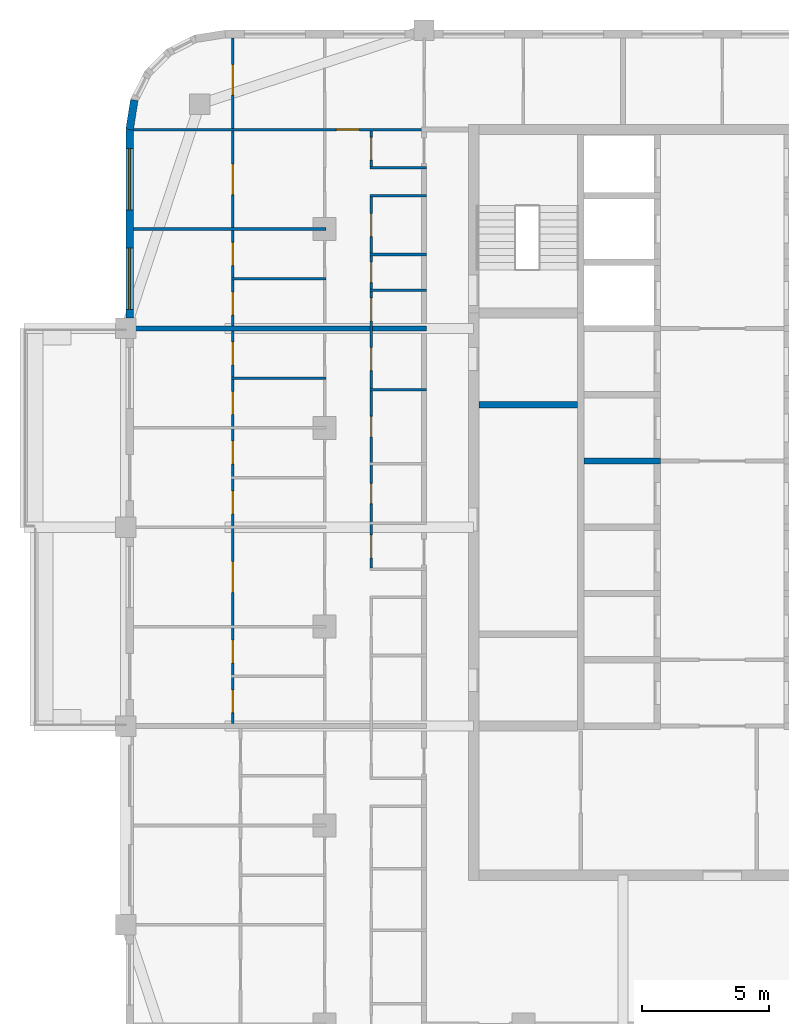
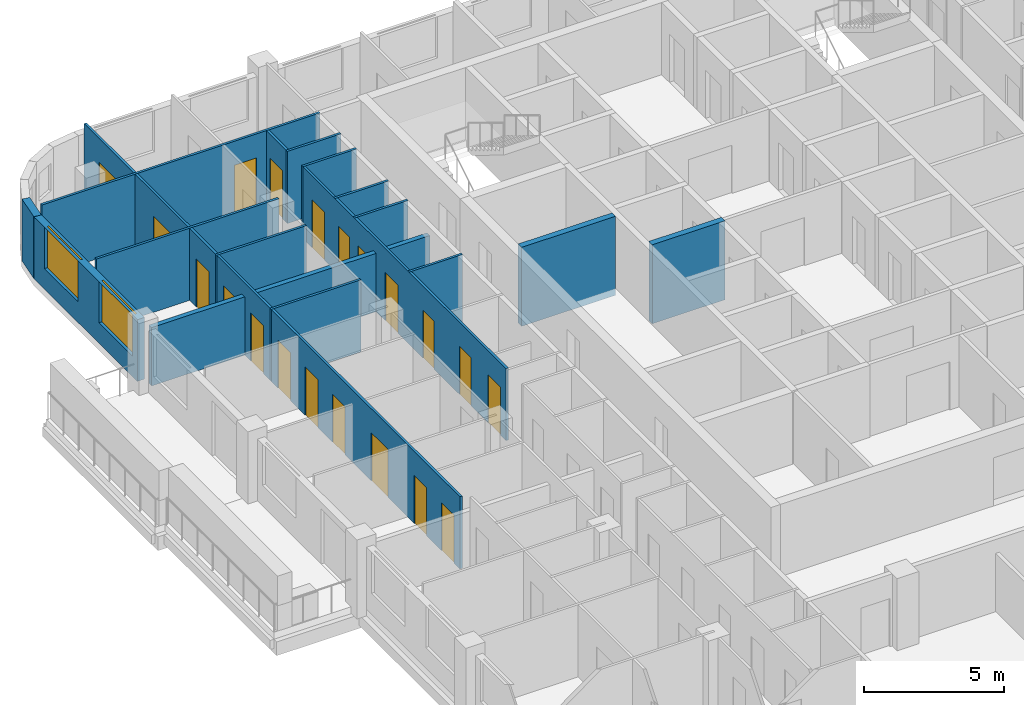
# One storey, part 8 of 15: 20 doors, 17 walls, 2 windows, 22 openings.
"""IFC4 building model written with IfcOpenShell, lengths in metres."""

from ifc_helpers import new_model, si_unit, direction, frame, frame_2d, origin, place, context, subcontext, project, spatial, rectangle, extrude, material, layer, layer_set, type_object, element, fill, save


model = new_model("IFC4")

# Units and contexts
model_context = context("Model", 3, precision=1e-05, world=origin(), true_north=direction((0.0, 1.0)))
body_context = subcontext(model_context, "Body", "Model", "MODEL_VIEW")
ifc_project = project(units=[si_unit("LENGTHUNIT", "METRE"), si_unit("AREAUNIT", "SQUARE_METRE"), si_unit("VOLUMEUNIT", "CUBIC_METRE"), si_unit("PLANEANGLEUNIT", "RADIAN"), si_unit("MASSUNIT", "GRAM", prefix="KILO")], contexts=[model_context])

# Site, building, storey
site_placement = place(None, origin())
site = spatial("IfcSite", under=ifc_project, at=site_placement, CompositionType="ELEMENT")
building_placement = place(site_placement, origin())
building = spatial("IfcBuilding", under=site, at=building_placement, Name="Ludao Terraces", CompositionType="ELEMENT")
storey_placement = place(building_placement, frame((0.0, 0.0, 197.300048828125)))
storey = spatial("IfcBuildingStorey", under=building, at=storey_placement, Name="L53", CompositionType="ELEMENT", Elevation=197.300048828125)

# Wall, openings, windows
ifc_material_1 = material(Name="Granite cladding", Category="masonry")
ifc_layer_1 = layer(ifc_material_1, 0.0400390625, Category="stone")
ifc_material_2 = material(Name="Mineral wool")
ifc_layer_2 = layer(ifc_material_2, 0.06005859375)
ifc_material_3 = material(Name="Concrete C40", Category="concrete")
ifc_layer_3 = layer(ifc_material_3, 0.199951171875, Category="concrete")
ifc_layer_set_1 = layer_set([ifc_layer_1, ifc_layer_2, ifc_layer_3], Name="ENV Stone-clad wall 300")
wall_type_1 = type_object("IfcWallType", Name="ENV Stone-clad wall 300", PredefinedType="SOLIDWALL", material=ifc_layer_set_1)
wall_1_placement = place(storey_placement, frame((61.75, 77.10009765625, 0.0), z_axis=(0.0, 0.0, 1.0), x_axis=(0.0, 1.0, 0.0)))
wall_1 = element("IfcWall", 1, at=wall_1_placement, inside=storey, type_object=wall_type_1, Name="EW-L53-W5", PredefinedType="SOLIDWALL", context=body_context, shape_type="SweptSolid", body=[
    extrude(rectangle(XDim=7.39990234375, YDim=0.300048828125, at=frame_2d((3.699951171875, 0.0))), origin(), (0.0, 0.0, 1.0), 2.699951171875),
])
opening_1_placement = place(wall_1_placement, frame((0.35009765625, 0.0, 0.89990234375)))
opening_1 = element("IfcOpeningElement", 2, at=opening_1_placement, cuts=wall_1, Name="Opening W1", PredefinedType="OPENING", context=body_context, shape_type="SweptSolid", body=[
    extrude(rectangle(XDim=2.39990234375, YDim=1.800048828125, at=frame_2d((1.199951171875, 0.89990234375))), frame((0.0, 0.16015625, 0.0), z_axis=(0.0, -1.0, 0.0), x_axis=(1.0, 0.0, 0.0)), (0.0, 0.0, 1.0), 0.320068359375),
])
opening_2_placement = place(wall_1_placement, frame((4.25, 0.0, 0.89990234375)))
opening_2 = element("IfcOpeningElement", 3, at=opening_2_placement, cuts=wall_1, Name="Opening W1", PredefinedType="OPENING", context=body_context, shape_type="SweptSolid", body=[
    extrude(rectangle(XDim=2.39990234375, YDim=1.800048828125, at=frame_2d((1.199951171875, 0.89990234375))), frame((0.0, 0.16015625, 0.0), z_axis=(0.0, -1.0, 0.0), x_axis=(1.0, 0.0, 0.0)), (0.0, 0.0, 1.0), 0.320068359375),
])
ifc_material_4 = material(Name="Clear glass in aluminium frame", Category="aluminium")
ifc_layer_4 = layer(ifc_material_4, 0.06005859375)
ifc_layer_set_2 = layer_set([ifc_layer_4], Name="ENV Window W1 2400x1800")
window_type = type_object("IfcWindowType", Name="ENV Window W1 2400x1800", PartitioningType="DOUBLE_PANEL_VERTICAL", PredefinedType="WINDOW", material=ifc_layer_set_2)
window_1_placement = place(opening_1_placement, origin())
window_1 = element("IfcWindow", 4, at=window_1_placement, inside=storey, type_object=window_type, Name="W-L53-W5-1", OverallHeight=1.800048828125, OverallWidth=2.39990234375, PartitioningType="DOUBLE_PANEL_VERTICAL", PredefinedType="WINDOW", context=body_context, shape_type="SweptSolid", body=[
    extrude(rectangle(XDim=2.39990234375, YDim=1.800048828125, at=frame_2d((1.199951171875, 0.89990234375))), frame((0.0, 0.030029296875, 0.0), z_axis=(0.0, -1.0, 0.0), x_axis=(1.0, 0.0, 0.0)), (0.0, 0.0, 1.0), 0.06005859375),
])
fill(opening_1, window_1)
window_2_placement = place(opening_2_placement, origin())
window_2 = element("IfcWindow", 5, at=window_2_placement, inside=storey, type_object=window_type, Name="W-L53-W5-2", OverallHeight=1.800048828125, OverallWidth=2.39990234375, PartitioningType="DOUBLE_PANEL_VERTICAL", PredefinedType="WINDOW", context=body_context, shape_type="SweptSolid", body=[
    extrude(rectangle(XDim=2.39990234375, YDim=1.800048828125, at=frame_2d((1.199951171875, 0.89990234375))), frame((0.0, 0.030029296875, 0.0), z_axis=(0.0, -1.0, 0.0), x_axis=(1.0, 0.0, 0.0)), (0.0, 0.0, 1.0), 0.06005859375),
])
fill(opening_2, window_2)

# Walls
wall_2_placement = place(storey_placement, frame((61.93359375, 85.65869140625, 0.0), z_axis=(0.0, 0.0, 1.0), x_axis=(-0.156496880861, -0.987678452879, 0.0)))
element("IfcWall", 6, at=wall_2_placement, inside=storey, type_object=wall_type_1, Name="EW-L53-NW5", PredefinedType="SOLIDWALL", context=body_context, shape_type="SweptSolid", body=[
    extrude(rectangle(XDim=1.173095703125, YDim=0.300048828125, at=frame_2d((0.58642578125, 0.0))), origin(), (0.0, 0.0, 1.0), 2.699951171875),
])
ifc_material_5 = material(Name="Gypsum plasterboard", Category="gypsum")
ifc_layer_5 = layer(ifc_material_5, 0.012451171875, Category="gypsum")
ifc_layer_6 = layer(ifc_material_2, 0.06005859375, Name="insulation")
ifc_material_6 = material(Name="Steel Q235", Category="steel")
ifc_layer_7 = layer(ifc_material_6, 0.014892578125, Name="stud")
ifc_layer_8 = layer(ifc_material_5, 0.012451171875, Category="gypsum")
ifc_layer_set_3 = layer_set([ifc_layer_5, ifc_layer_6, ifc_layer_7, ifc_layer_8], Name="INT Partition 100")
wall_type_2 = type_object("IfcWallType", Name="INT Partition 100", PredefinedType="PARTITIONING", material=ifc_layer_set_3)
wall_3_placement = place(storey_placement, frame((71.18017578125, 74.300048828125, 0.0), z_axis=(0.0, 0.0, 1.0), x_axis=(1.0, 0.0, 0.0)))
element("IfcWall", 7, at=wall_3_placement, inside=storey, type_object=wall_type_2, Name="PW-L53-PW051", PredefinedType="PARTITIONING", context=body_context, shape_type="SweptSolid", body=[
    extrude(rectangle(XDim=2.219970703125, YDim=0.10009765625, at=frame_2d((1.10986328125, 0.0))), origin(), (0.0, 0.0, 1.0), 3.14990234375),
])
wall_4_placement = place(storey_placement, frame((65.75, 74.75, 0.0), z_axis=(0.0, 0.0, 1.0), x_axis=(1.0, 0.0, 0.0)))
element("IfcWall", 8, at=wall_4_placement, inside=storey, type_object=wall_type_2, Name="PW-L53-PW053", PredefinedType="PARTITIONING", context=body_context, shape_type="SweptSolid", body=[
    extrude(rectangle(XDim=3.7001953125, YDim=0.10009765625, at=frame_2d((1.85009765625, 0.0))), origin(), (0.0, 0.0, 1.0), 3.14990234375),
])
wall_5_placement = place(storey_placement, frame((71.18017578125, 78.199951171875, 0.0), z_axis=(0.0, 0.0, 1.0), x_axis=(1.0, 0.0, 0.0)))
element("IfcWall", 9, at=wall_5_placement, inside=storey, type_object=wall_type_2, Name="PW-L53-PW058", PredefinedType="PARTITIONING", context=body_context, shape_type="SweptSolid", body=[
    extrude(rectangle(XDim=2.219970703125, YDim=0.10009765625, at=frame_2d((1.10986328125, 0.0))), origin(), (0.0, 0.0, 1.0), 3.14990234375),
])
wall_6_placement = place(storey_placement, frame((65.75, 78.64990234375, 0.0), z_axis=(0.0, 0.0, 1.0), x_axis=(1.0, 0.0, 0.0)))
element("IfcWall", 10, at=wall_6_placement, inside=storey, type_object=wall_type_2, Name="PW-L53-PW059", PredefinedType="PARTITIONING", context=body_context, shape_type="SweptSolid", body=[
    extrude(rectangle(XDim=3.7001953125, YDim=0.10009765625, at=frame_2d((1.85009765625, 0.0))), origin(), (0.0, 0.0, 1.0), 3.14990234375),
])
wall_7_placement = place(storey_placement, frame((71.18017578125, 79.60009765625, 0.0), z_axis=(0.0, 0.0, 1.0), x_axis=(1.0, 0.0, 0.0)))
element("IfcWall", 11, at=wall_7_placement, inside=storey, type_object=wall_type_2, Name="PW-L53-PW062", PredefinedType="PARTITIONING", context=body_context, shape_type="SweptSolid", body=[
    extrude(rectangle(XDim=2.219970703125, YDim=0.10009765625, at=frame_2d((1.10986328125, 0.0))), origin(), (0.0, 0.0, 1.0), 3.14990234375),
])
wall_8_placement = place(storey_placement, frame((61.900146484375, 80.60009765625, 0.0), z_axis=(0.0, 0.0, 1.0), x_axis=(1.0, 0.0, 0.0)))
element("IfcWall", 12, at=wall_8_placement, inside=storey, type_object=wall_type_2, Name="PW-L53-PW064", PredefinedType="PARTITIONING", context=body_context, shape_type="SweptSolid", body=[
    extrude(rectangle(XDim=7.550048828125, YDim=0.10009765625, at=frame_2d((3.77490234375, 0.0))), origin(), (0.0, 0.0, 1.0), 3.14990234375),
])
for number, where, z_axis, x_axis, name in (
    (13, (71.18017578125, 81.89990234375, 0.0), (0.0, 0.0, 1.0), (1.0, 0.0, 0.0), "PW-L53-PW067"),
    (14, (71.18017578125, 83.0, 0.0), (0.0, 0.0, 1.0), (1.0, 0.0, 0.0), "PW-L53-PW069"),
):
    element("IfcWall", number, at=place(storey_placement, frame(where, z_axis=z_axis, x_axis=x_axis)), inside=storey, type_object=wall_type_2, Name=name, PredefinedType="PARTITIONING", context=body_context, shape_type="SweptSolid", body=[
        extrude(rectangle(XDim=2.219970703125, YDim=0.10009765625, at=frame_2d((1.10986328125, 0.0))), origin(), (0.0, 0.0, 1.0), 3.14990234375),
    ])

# Wall, opening, door
wall_9_placement = place(storey_placement, frame((61.900146484375, 84.5, 0.0), z_axis=(0.0, 0.0, 1.0), x_axis=(1.0, 0.0, 0.0)))
wall_9 = element("IfcWall", 15, at=wall_9_placement, inside=storey, type_object=wall_type_2, Name="PW-L53-PW071", PredefinedType="PARTITIONING", context=body_context, shape_type="SweptSolid", body=[
    extrude(rectangle(XDim=11.5, YDim=0.10009765625, at=frame_2d((5.75, 0.0))), origin(), (0.0, 0.0, 1.0), 3.14990234375),
])
opening_3_placement = place(wall_9_placement, frame((7.965087890625, 0.0, 0.0)))
opening_3 = element("IfcOpeningElement", 16, at=opening_3_placement, cuts=wall_9, Name="Opening R19-137", PredefinedType="OPENING", context=body_context, shape_type="SweptSolid", body=[
    extrude(rectangle(XDim=0.89990234375, YDim=2.10009765625, at=frame_2d((0.449951171875, 1.050048828125))), frame((0.0, 0.06005859375, 0.0), z_axis=(0.0, -1.0, 0.0), x_axis=(1.0, 0.0, 0.0)), (0.0, 0.0, 1.0), 0.1201171875),
])
ifc_material_7 = material(Name="Timber door leaf", Category="wood")
door_type_1 = type_object("IfcDoorType", Name="INT Room door 900", OperationType="SINGLE_SWING_LEFT", PredefinedType="DOOR", material=ifc_material_7)
door_1_placement = place(opening_3_placement, origin())
door_1 = element("IfcDoor", 17, at=door_1_placement, inside=storey, type_object=door_type_1, Name="DOOR 137", OperationType="SINGLE_SWING_RIGHT", OverallHeight=2.10009765625, OverallWidth=0.89990234375, PredefinedType="DOOR", context=body_context, shape_type="SweptSolid", body=[
    extrude(rectangle(XDim=0.89990234375, YDim=2.10009765625, at=frame_2d((0.449951171875, 1.050048828125))), frame((0.0, 0.02490234375, 0.0), z_axis=(0.0, -1.0, 0.0), x_axis=(1.0, 0.0, 0.0)), (0.0, 0.0, 1.0), 0.050048828125),
])
fill(opening_3, door_1)

# Wall, openings, doors
wall_10_placement = place(storey_placement, frame((65.800048828125, 61.2001953125, 0.0), z_axis=(0.0, 0.0, 1.0), x_axis=(0.0, 1.0, 0.0)))
wall_10 = element("IfcWall", 18, at=wall_10_placement, inside=storey, type_object=wall_type_2, Name="PW-L53-PW075", PredefinedType="PARTITIONING", context=body_context, shape_type="SweptSolid", body=[
    extrude(rectangle(XDim=26.89990234375, YDim=0.10009765625, at=frame_2d((13.449951171875, 0.0))), origin(), (0.0, 0.0, 1.0), 3.14990234375),
])
opening_4_placement = place(wall_10_placement, frame((0.4248046875, 0.0, 0.0)))
opening_4 = element("IfcOpeningElement", 19, at=opening_4_placement, cuts=wall_10, Name="Opening R19-050", PredefinedType="OPENING", context=body_context, shape_type="SweptSolid", body=[
    extrude(rectangle(XDim=0.89990234375, YDim=2.10009765625, at=frame_2d((0.449951171875, 1.050048828125))), frame((0.0, 0.06005859375, 0.0), z_axis=(0.0, -1.0, 0.0), x_axis=(1.0, 0.0, 0.0)), (0.0, 0.0, 1.0), 0.1201171875),
])
opening_5_placement = place(wall_10_placement, frame((2.375, 0.0, 0.0)))
opening_5 = element("IfcOpeningElement", 20, at=opening_5_placement, cuts=wall_10, Name="Opening R19-060", PredefinedType="OPENING", context=body_context, shape_type="SweptSolid", body=[
    extrude(rectangle(XDim=0.89990234375, YDim=2.10009765625, at=frame_2d((0.449951171875, 1.050048828125))), frame((0.0, 0.06005859375, 0.0), z_axis=(0.0, -1.0, 0.0), x_axis=(1.0, 0.0, 0.0)), (0.0, 0.0, 1.0), 0.1201171875),
])
opening_6_placement = place(wall_10_placement, frame((5.14990234375, 0.0, 0.0)))
opening_6 = element("IfcOpeningElement", 21, at=opening_6_placement, cuts=wall_10, Name="Opening R19-068", PredefinedType="OPENING", context=body_context, shape_type="SweptSolid", body=[
    extrude(rectangle(XDim=1.199951171875, YDim=2.10009765625, at=frame_2d((0.60009765625, 1.050048828125))), frame((0.0, 0.06005859375, 0.0), z_axis=(0.0, -1.0, 0.0), x_axis=(1.0, 0.0, 0.0)), (0.0, 0.0, 1.0), 0.1201171875),
])
opening_7_placement = place(wall_10_placement, frame((8.224853515625, 0.0, 0.0)))
opening_7 = element("IfcOpeningElement", 22, at=opening_7_placement, cuts=wall_10, Name="Opening R19-079", PredefinedType="OPENING", context=body_context, shape_type="SweptSolid", body=[
    extrude(rectangle(XDim=0.89990234375, YDim=2.10009765625, at=frame_2d((0.449951171875, 1.050048828125))), frame((0.0, 0.06005859375, 0.0), z_axis=(0.0, -1.0, 0.0), x_axis=(1.0, 0.0, 0.0)), (0.0, 0.0, 1.0), 0.1201171875),
])
opening_8_placement = place(wall_10_placement, frame((10.1748046875, 0.0, 0.0)))
opening_8 = element("IfcOpeningElement", 23, at=opening_8_placement, cuts=wall_10, Name="Opening R19-088", PredefinedType="OPENING", context=body_context, shape_type="SweptSolid", body=[
    extrude(rectangle(XDim=0.89990234375, YDim=2.10009765625, at=frame_2d((0.449951171875, 1.050048828125))), frame((0.0, 0.06005859375, 0.0), z_axis=(0.0, -1.0, 0.0), x_axis=(1.0, 0.0, 0.0)), (0.0, 0.0, 1.0), 0.1201171875),
])
opening_9_placement = place(wall_10_placement, frame((12.125, 0.0, 0.0)))
opening_9 = element("IfcOpeningElement", 24, at=opening_9_placement, cuts=wall_10, Name="Opening R19-094", PredefinedType="OPENING", context=body_context, shape_type="SweptSolid", body=[
    extrude(rectangle(XDim=0.89990234375, YDim=2.10009765625, at=frame_2d((0.449951171875, 1.050048828125))), frame((0.0, 0.06005859375, 0.0), z_axis=(0.0, -1.0, 0.0), x_axis=(1.0, 0.0, 0.0)), (0.0, 0.0, 1.0), 0.1201171875),
])
opening_10_placement = place(wall_10_placement, frame((14.074951171875, 0.0, 0.0)))
opening_10 = element("IfcOpeningElement", 25, at=opening_10_placement, cuts=wall_10, Name="Opening R19-103", PredefinedType="OPENING", context=body_context, shape_type="SweptSolid", body=[
    extrude(rectangle(XDim=0.89990234375, YDim=2.10009765625, at=frame_2d((0.449951171875, 1.050048828125))), frame((0.0, 0.06005859375, 0.0), z_axis=(0.0, -1.0, 0.0), x_axis=(1.0, 0.0, 0.0)), (0.0, 0.0, 1.0), 0.1201171875),
])
opening_11_placement = place(wall_10_placement, frame((16.02490234375, 0.0, 0.0)))
opening_11 = element("IfcOpeningElement", 26, at=opening_11_placement, cuts=wall_10, Name="Opening R19-109", PredefinedType="OPENING", context=body_context, shape_type="SweptSolid", body=[
    extrude(rectangle(XDim=0.89990234375, YDim=2.10009765625, at=frame_2d((0.449951171875, 1.050048828125))), frame((0.0, 0.06005859375, 0.0), z_axis=(0.0, -1.0, 0.0), x_axis=(1.0, 0.0, 0.0)), (0.0, 0.0, 1.0), 0.1201171875),
])
opening_12_placement = place(wall_10_placement, frame((17.974853515625, 0.0, 0.0)))
opening_12 = element("IfcOpeningElement", 27, at=opening_12_placement, cuts=wall_10, Name="Opening R19-119", PredefinedType="OPENING", context=body_context, shape_type="SweptSolid", body=[
    extrude(rectangle(XDim=0.89990234375, YDim=2.10009765625, at=frame_2d((0.449951171875, 1.050048828125))), frame((0.0, 0.06005859375, 0.0), z_axis=(0.0, -1.0, 0.0), x_axis=(1.0, 0.0, 0.0)), (0.0, 0.0, 1.0), 0.1201171875),
])
opening_13_placement = place(wall_10_placement, frame((20.75, 0.0, 0.0)))
opening_13 = element("IfcOpeningElement", 28, at=opening_13_placement, cuts=wall_10, Name="Opening R19-128", PredefinedType="OPENING", context=body_context, shape_type="SweptSolid", body=[
    extrude(rectangle(XDim=1.199951171875, YDim=2.10009765625, at=frame_2d((0.60009765625, 1.050048828125))), frame((0.0, 0.06005859375, 0.0), z_axis=(0.0, -1.0, 0.0), x_axis=(1.0, 0.0, 0.0)), (0.0, 0.0, 1.0), 0.1201171875),
])
opening_14_placement = place(wall_10_placement, frame((24.64990234375, 0.0, 0.0)))
opening_14 = element("IfcOpeningElement", 29, at=opening_14_placement, cuts=wall_10, Name="Opening R19-139", PredefinedType="OPENING", context=body_context, shape_type="SweptSolid", body=[
    extrude(rectangle(XDim=1.199951171875, YDim=2.10009765625, at=frame_2d((0.60009765625, 1.050048828125))), frame((0.0, 0.06005859375, 0.0), z_axis=(0.0, -1.0, 0.0), x_axis=(1.0, 0.0, 0.0)), (0.0, 0.0, 1.0), 0.1201171875),
])
door_type_2 = type_object("IfcDoorType", Name="INT Bathroom door 900", OperationType="SINGLE_SWING_LEFT", PredefinedType="DOOR", material=ifc_material_7)
door_2_placement = place(opening_4_placement, origin())
door_2 = element("IfcDoor", 30, at=door_2_placement, inside=storey, type_object=door_type_2, Name="DOOR 050", OperationType="SINGLE_SWING_RIGHT", OverallHeight=2.10009765625, OverallWidth=0.89990234375, PredefinedType="DOOR", context=body_context, shape_type="SweptSolid", body=[
    extrude(rectangle(XDim=0.89990234375, YDim=2.10009765625, at=frame_2d((0.449951171875, 1.050048828125))), frame((0.0, 0.02490234375, 0.0), z_axis=(0.0, -1.0, 0.0), x_axis=(1.0, 0.0, 0.0)), (0.0, 0.0, 1.0), 0.050048828125),
])
fill(opening_4, door_2)
door_3_placement = place(opening_7_placement, origin())
door_3 = element("IfcDoor", 31, at=door_3_placement, inside=storey, type_object=door_type_2, Name="DOOR 079", OperationType="SINGLE_SWING_RIGHT", OverallHeight=2.10009765625, OverallWidth=0.89990234375, PredefinedType="DOOR", context=body_context, shape_type="SweptSolid", body=[
    extrude(rectangle(XDim=0.89990234375, YDim=2.10009765625, at=frame_2d((0.449951171875, 1.050048828125))), frame((0.0, 0.02490234375, 0.0), z_axis=(0.0, -1.0, 0.0), x_axis=(1.0, 0.0, 0.0)), (0.0, 0.0, 1.0), 0.050048828125),
])
fill(opening_7, door_3)
door_4_placement = place(opening_9_placement, origin())
door_4 = element("IfcDoor", 32, at=door_4_placement, inside=storey, type_object=door_type_2, Name="DOOR 094", OperationType="SINGLE_SWING_RIGHT", OverallHeight=2.10009765625, OverallWidth=0.89990234375, PredefinedType="DOOR", context=body_context, shape_type="SweptSolid", body=[
    extrude(rectangle(XDim=0.89990234375, YDim=2.10009765625, at=frame_2d((0.449951171875, 1.050048828125))), frame((0.0, 0.02490234375, 0.0), z_axis=(0.0, -1.0, 0.0), x_axis=(1.0, 0.0, 0.0)), (0.0, 0.0, 1.0), 0.050048828125),
])
fill(opening_9, door_4)
door_5_placement = place(opening_11_placement, origin())
door_5 = element("IfcDoor", 33, at=door_5_placement, inside=storey, type_object=door_type_2, Name="DOOR 109", OperationType="SINGLE_SWING_RIGHT", OverallHeight=2.10009765625, OverallWidth=0.89990234375, PredefinedType="DOOR", context=body_context, shape_type="SweptSolid", body=[
    extrude(rectangle(XDim=0.89990234375, YDim=2.10009765625, at=frame_2d((0.449951171875, 1.050048828125))), frame((0.0, 0.02490234375, 0.0), z_axis=(0.0, -1.0, 0.0), x_axis=(1.0, 0.0, 0.0)), (0.0, 0.0, 1.0), 0.050048828125),
])
fill(opening_11, door_5)
door_type_3 = type_object("IfcDoorType", Name="INT Double door 1200", OperationType="DOUBLE_DOOR_SINGLE_SWING", PredefinedType="DOOR", material=ifc_material_7)
door_6_placement = place(opening_6_placement, origin())
door_6 = element("IfcDoor", 34, at=door_6_placement, inside=storey, type_object=door_type_3, Name="DOOR 068", OperationType="DOUBLE_DOOR_SINGLE_SWING", OverallHeight=2.10009765625, OverallWidth=1.199951171875, PredefinedType="DOOR", context=body_context, shape_type="SweptSolid", body=[
    extrude(rectangle(XDim=1.199951171875, YDim=2.10009765625, at=frame_2d((0.60009765625, 1.050048828125))), frame((0.0, 0.02490234375, 0.0), z_axis=(0.0, -1.0, 0.0), x_axis=(1.0, 0.0, 0.0)), (0.0, 0.0, 1.0), 0.050048828125),
])
fill(opening_6, door_6)
door_7_placement = place(opening_13_placement, origin())
door_7 = element("IfcDoor", 35, at=door_7_placement, inside=storey, type_object=door_type_3, Name="DOOR 128", OperationType="DOUBLE_DOOR_SINGLE_SWING", OverallHeight=2.10009765625, OverallWidth=1.199951171875, PredefinedType="DOOR", context=body_context, shape_type="SweptSolid", body=[
    extrude(rectangle(XDim=1.199951171875, YDim=2.10009765625, at=frame_2d((0.60009765625, 1.050048828125))), frame((0.0, 0.02490234375, 0.0), z_axis=(0.0, -1.0, 0.0), x_axis=(1.0, 0.0, 0.0)), (0.0, 0.0, 1.0), 0.050048828125),
])
fill(opening_13, door_7)
door_8_placement = place(opening_14_placement, origin())
door_8 = element("IfcDoor", 36, at=door_8_placement, inside=storey, type_object=door_type_3, Name="DOOR 139", OperationType="DOUBLE_DOOR_SINGLE_SWING", OverallHeight=2.10009765625, OverallWidth=1.199951171875, PredefinedType="DOOR", context=body_context, shape_type="SweptSolid", body=[
    extrude(rectangle(XDim=1.199951171875, YDim=2.10009765625, at=frame_2d((0.60009765625, 1.050048828125))), frame((0.0, 0.02490234375, 0.0), z_axis=(0.0, -1.0, 0.0), x_axis=(1.0, 0.0, 0.0)), (0.0, 0.0, 1.0), 0.050048828125),
])
fill(opening_14, door_8)
door_9_placement = place(opening_5_placement, origin())
door_9 = element("IfcDoor", 37, at=door_9_placement, inside=storey, type_object=door_type_1, Name="DOOR 060", OperationType="SINGLE_SWING_RIGHT", OverallHeight=2.10009765625, OverallWidth=0.89990234375, PredefinedType="DOOR", context=body_context, shape_type="SweptSolid", body=[
    extrude(rectangle(XDim=0.89990234375, YDim=2.10009765625, at=frame_2d((0.449951171875, 1.050048828125))), frame((0.0, 0.02490234375, 0.0), z_axis=(0.0, -1.0, 0.0), x_axis=(1.0, 0.0, 0.0)), (0.0, 0.0, 1.0), 0.050048828125),
])
fill(opening_5, door_9)
door_10_placement = place(opening_8_placement, origin())
door_10 = element("IfcDoor", 38, at=door_10_placement, inside=storey, type_object=door_type_1, Name="DOOR 088", OperationType="SINGLE_SWING_RIGHT", OverallHeight=2.10009765625, OverallWidth=0.89990234375, PredefinedType="DOOR", context=body_context, shape_type="SweptSolid", body=[
    extrude(rectangle(XDim=0.89990234375, YDim=2.10009765625, at=frame_2d((0.449951171875, 1.050048828125))), frame((0.0, 0.02490234375, 0.0), z_axis=(0.0, -1.0, 0.0), x_axis=(1.0, 0.0, 0.0)), (0.0, 0.0, 1.0), 0.050048828125),
])
fill(opening_8, door_10)
door_11_placement = place(opening_10_placement, origin())
door_11 = element("IfcDoor", 39, at=door_11_placement, inside=storey, type_object=door_type_1, Name="DOOR 103", OperationType="SINGLE_SWING_LEFT", OverallHeight=2.10009765625, OverallWidth=0.89990234375, PredefinedType="DOOR", context=body_context, shape_type="SweptSolid", body=[
    extrude(rectangle(XDim=0.89990234375, YDim=2.10009765625, at=frame_2d((0.449951171875, 1.050048828125))), frame((0.0, 0.02490234375, 0.0), z_axis=(0.0, -1.0, 0.0), x_axis=(1.0, 0.0, 0.0)), (0.0, 0.0, 1.0), 0.050048828125),
])
fill(opening_10, door_11)
door_12_placement = place(opening_12_placement, origin())
door_12 = element("IfcDoor", 40, at=door_12_placement, inside=storey, type_object=door_type_1, Name="DOOR 119", OperationType="SINGLE_SWING_RIGHT", OverallHeight=2.10009765625, OverallWidth=0.89990234375, PredefinedType="DOOR", context=body_context, shape_type="SweptSolid", body=[
    extrude(rectangle(XDim=0.89990234375, YDim=2.10009765625, at=frame_2d((0.449951171875, 1.050048828125))), frame((0.0, 0.02490234375, 0.0), z_axis=(0.0, -1.0, 0.0), x_axis=(1.0, 0.0, 0.0)), (0.0, 0.0, 1.0), 0.050048828125),
])
fill(opening_12, door_12)

wall_11_placement = place(storey_placement, frame((71.22998046875, 67.300048828125, 0.0), z_axis=(0.0, 0.0, 1.0), x_axis=(0.0, 1.0, 0.0)))
wall_11 = element("IfcWall", 41, at=wall_11_placement, inside=storey, type_object=wall_type_2, Name="PW-L53-PW080", PredefinedType="PARTITIONING", context=body_context, shape_type="SweptSolid", body=[
    extrude(rectangle(XDim=14.550048828125, YDim=0.10009765625, at=frame_2d((7.27490234375, 0.0))), origin(), (0.0, 0.0, 1.0), 3.14990234375),
])
opening_15_placement = place(wall_11_placement, frame((0.39990234375, 0.0, 0.0)))
opening_15 = element("IfcOpeningElement", 42, at=opening_15_placement, cuts=wall_11, Name="Opening R19-076", PredefinedType="OPENING", context=body_context, shape_type="SweptSolid", body=[
    extrude(rectangle(XDim=0.89990234375, YDim=2.10009765625, at=frame_2d((0.449951171875, 1.050048828125))), frame((0.0, 0.06005859375, 0.0), z_axis=(0.0, -1.0, 0.0), x_axis=(1.0, 0.0, 0.0)), (0.0, 0.0, 1.0), 0.1201171875),
])
opening_16_placement = place(wall_11_placement, frame((2.52490234375, 0.0, 0.0)))
opening_16 = element("IfcOpeningElement", 43, at=opening_16_placement, cuts=wall_11, Name="Opening R19-083", PredefinedType="OPENING", context=body_context, shape_type="SweptSolid", body=[
    extrude(rectangle(XDim=0.800048828125, YDim=2.10009765625, at=frame_2d((0.39990234375, 1.050048828125))), frame((0.0, 0.06005859375, 0.0), z_axis=(0.0, -1.0, 0.0), x_axis=(1.0, 0.0, 0.0)), (0.0, 0.0, 1.0), 0.1201171875),
])
opening_17_placement = place(wall_11_placement, frame((5.14990234375, 0.0, 0.0)))
opening_17 = element("IfcOpeningElement", 44, at=opening_17_placement, cuts=wall_11, Name="Opening R19-093", PredefinedType="OPENING", context=body_context, shape_type="SweptSolid", body=[
    extrude(rectangle(XDim=0.800048828125, YDim=2.10009765625, at=frame_2d((0.39990234375, 1.050048828125))), frame((0.0, 0.06005859375, 0.0), z_axis=(0.0, -1.0, 0.0), x_axis=(1.0, 0.0, 0.0)), (0.0, 0.0, 1.0), 0.1201171875),
])
opening_18_placement = place(wall_11_placement, frame((7.75, 0.0, 0.0)))
opening_18 = element("IfcOpeningElement", 45, at=opening_18_placement, cuts=wall_11, Name="Opening R19-099", PredefinedType="OPENING", context=body_context, shape_type="SweptSolid", body=[
    extrude(rectangle(XDim=0.89990234375, YDim=2.10009765625, at=frame_2d((0.449951171875, 1.050048828125))), frame((0.0, 0.06005859375, 0.0), z_axis=(0.0, -1.0, 0.0), x_axis=(1.0, 0.0, 0.0)), (0.0, 0.0, 1.0), 0.1201171875),
])
opening_19_placement = place(wall_11_placement, frame((9.699951171875, 0.0, 0.0)))
opening_19 = element("IfcOpeningElement", 46, at=opening_19_placement, cuts=wall_11, Name="Opening R19-108", PredefinedType="OPENING", context=body_context, shape_type="SweptSolid", body=[
    extrude(rectangle(XDim=0.89990234375, YDim=2.10009765625, at=frame_2d((0.449951171875, 1.050048828125))), frame((0.0, 0.06005859375, 0.0), z_axis=(0.0, -1.0, 0.0), x_axis=(1.0, 0.0, 0.0)), (0.0, 0.0, 1.0), 0.1201171875),
])
opening_20_placement = place(wall_11_placement, frame((11.199951171875, 0.0, 0.0)))
opening_20 = element("IfcOpeningElement", 47, at=opening_20_placement, cuts=wall_11, Name="Opening R19-116", PredefinedType="OPENING", context=body_context, shape_type="SweptSolid", body=[
    extrude(rectangle(XDim=0.800048828125, YDim=2.10009765625, at=frame_2d((0.39990234375, 1.050048828125))), frame((0.0, 0.06005859375, 0.0), z_axis=(0.0, -1.0, 0.0), x_axis=(1.0, 0.0, 0.0)), (0.0, 0.0, 1.0), 0.1201171875),
])
opening_21_placement = place(wall_11_placement, frame((13.0, 0.0, 0.0)))
opening_21 = element("IfcOpeningElement", 48, at=opening_21_placement, cuts=wall_11, Name="Opening R19-125", PredefinedType="OPENING", context=body_context, shape_type="SweptSolid", body=[
    extrude(rectangle(XDim=0.89990234375, YDim=2.10009765625, at=frame_2d((0.449951171875, 1.050048828125))), frame((0.0, 0.06005859375, 0.0), z_axis=(0.0, -1.0, 0.0), x_axis=(1.0, 0.0, 0.0)), (0.0, 0.0, 1.0), 0.1201171875),
])
door_13_placement = place(opening_15_placement, origin())
door_13 = element("IfcDoor", 49, at=door_13_placement, inside=storey, type_object=door_type_2, Name="DOOR 076", OperationType="SINGLE_SWING_RIGHT", OverallHeight=2.10009765625, OverallWidth=0.89990234375, PredefinedType="DOOR", context=body_context, shape_type="SweptSolid", body=[
    extrude(rectangle(XDim=0.89990234375, YDim=2.10009765625, at=frame_2d((0.449951171875, 1.050048828125))), frame((0.0, 0.02490234375, 0.0), z_axis=(0.0, -1.0, 0.0), x_axis=(1.0, 0.0, 0.0)), (0.0, 0.0, 1.0), 0.050048828125),
])
fill(opening_15, door_13)
door_14_placement = place(opening_18_placement, origin())
door_14 = element("IfcDoor", 50, at=door_14_placement, inside=storey, type_object=door_type_2, Name="DOOR 099", OperationType="SINGLE_SWING_LEFT", OverallHeight=2.10009765625, OverallWidth=0.89990234375, PredefinedType="DOOR", context=body_context, shape_type="SweptSolid", body=[
    extrude(rectangle(XDim=0.89990234375, YDim=2.10009765625, at=frame_2d((0.449951171875, 1.050048828125))), frame((0.0, 0.02490234375, 0.0), z_axis=(0.0, -1.0, 0.0), x_axis=(1.0, 0.0, 0.0)), (0.0, 0.0, 1.0), 0.050048828125),
])
fill(opening_18, door_14)
door_15_placement = place(opening_19_placement, origin())
door_15 = element("IfcDoor", 51, at=door_15_placement, inside=storey, type_object=door_type_2, Name="DOOR 108", OperationType="SINGLE_SWING_RIGHT", OverallHeight=2.10009765625, OverallWidth=0.89990234375, PredefinedType="DOOR", context=body_context, shape_type="SweptSolid", body=[
    extrude(rectangle(XDim=0.89990234375, YDim=2.10009765625, at=frame_2d((0.449951171875, 1.050048828125))), frame((0.0, 0.02490234375, 0.0), z_axis=(0.0, -1.0, 0.0), x_axis=(1.0, 0.0, 0.0)), (0.0, 0.0, 1.0), 0.050048828125),
])
fill(opening_19, door_15)
door_16_placement = place(opening_21_placement, origin())
door_16 = element("IfcDoor", 52, at=door_16_placement, inside=storey, type_object=door_type_1, Name="DOOR 125", OperationType="SINGLE_SWING_RIGHT", OverallHeight=2.10009765625, OverallWidth=0.89990234375, PredefinedType="DOOR", context=body_context, shape_type="SweptSolid", body=[
    extrude(rectangle(XDim=0.89990234375, YDim=2.10009765625, at=frame_2d((0.449951171875, 1.050048828125))), frame((0.0, 0.02490234375, 0.0), z_axis=(0.0, -1.0, 0.0), x_axis=(1.0, 0.0, 0.0)), (0.0, 0.0, 1.0), 0.050048828125),
])
fill(opening_21, door_16)
door_type_4 = type_object("IfcDoorType", Name="INT Store door 800", OperationType="SINGLE_SWING_LEFT", PredefinedType="DOOR", material=ifc_material_7)
door_17_placement = place(opening_16_placement, origin())
door_17 = element("IfcDoor", 53, at=door_17_placement, inside=storey, type_object=door_type_4, Name="DOOR 083", OperationType="SINGLE_SWING_LEFT", OverallHeight=2.10009765625, OverallWidth=0.800048828125, PredefinedType="DOOR", context=body_context, shape_type="SweptSolid", body=[
    extrude(rectangle(XDim=0.800048828125, YDim=2.10009765625, at=frame_2d((0.39990234375, 1.050048828125))), frame((0.0, 0.02490234375, 0.0), z_axis=(0.0, -1.0, 0.0), x_axis=(1.0, 0.0, 0.0)), (0.0, 0.0, 1.0), 0.050048828125),
])
fill(opening_16, door_17)
door_18_placement = place(opening_17_placement, origin())
door_18 = element("IfcDoor", 54, at=door_18_placement, inside=storey, type_object=door_type_4, Name="DOOR 093", OperationType="SINGLE_SWING_RIGHT", OverallHeight=2.10009765625, OverallWidth=0.800048828125, PredefinedType="DOOR", context=body_context, shape_type="SweptSolid", body=[
    extrude(rectangle(XDim=0.800048828125, YDim=2.10009765625, at=frame_2d((0.39990234375, 1.050048828125))), frame((0.0, 0.02490234375, 0.0), z_axis=(0.0, -1.0, 0.0), x_axis=(1.0, 0.0, 0.0)), (0.0, 0.0, 1.0), 0.050048828125),
])
fill(opening_17, door_18)
door_19_placement = place(opening_20_placement, origin())
door_19 = element("IfcDoor", 55, at=door_19_placement, inside=storey, type_object=door_type_4, Name="DOOR 116", OperationType="SINGLE_SWING_LEFT", OverallHeight=2.10009765625, OverallWidth=0.800048828125, PredefinedType="DOOR", context=body_context, shape_type="SweptSolid", body=[
    extrude(rectangle(XDim=0.800048828125, YDim=2.10009765625, at=frame_2d((0.39990234375, 1.050048828125))), frame((0.0, 0.02490234375, 0.0), z_axis=(0.0, -1.0, 0.0), x_axis=(1.0, 0.0, 0.0)), (0.0, 0.0, 1.0), 0.050048828125),
])
fill(opening_20, door_19)

# Wall, opening, door
wall_12_placement = place(storey_placement, frame((71.22998046875, 83.050048828125, 0.0), z_axis=(0.0, 0.0, 1.0), x_axis=(0.0, 1.0, 0.0)))
wall_12 = element("IfcWall", 56, at=wall_12_placement, inside=storey, type_object=wall_type_2, Name="PW-L53-PW081", PredefinedType="PARTITIONING", context=body_context, shape_type="SweptSolid", body=[
    extrude(rectangle(XDim=1.400146484375, YDim=0.10009765625, at=frame_2d((0.7001953125, 0.0))), origin(), (0.0, 0.0, 1.0), 3.14990234375),
])
opening_22_placement = place(wall_12_placement, frame((0.25, 0.0, 0.0)))
opening_22 = element("IfcOpeningElement", 57, at=opening_22_placement, cuts=wall_12, Name="Opening R19-135", PredefinedType="OPENING", context=body_context, shape_type="SweptSolid", body=[
    extrude(rectangle(XDim=0.89990234375, YDim=2.10009765625, at=frame_2d((0.449951171875, 1.050048828125))), frame((0.0, 0.06005859375, 0.0), z_axis=(0.0, -1.0, 0.0), x_axis=(1.0, 0.0, 0.0)), (0.0, 0.0, 1.0), 0.1201171875),
])
door_20_placement = place(opening_22_placement, origin())
door_20 = element("IfcDoor", 58, at=door_20_placement, inside=storey, type_object=door_type_2, Name="DOOR 135", OperationType="SINGLE_SWING_RIGHT", OverallHeight=2.10009765625, OverallWidth=0.89990234375, PredefinedType="DOOR", context=body_context, shape_type="SweptSolid", body=[
    extrude(rectangle(XDim=0.89990234375, YDim=2.10009765625, at=frame_2d((0.449951171875, 1.050048828125))), frame((0.0, 0.02490234375, 0.0), z_axis=(0.0, -1.0, 0.0), x_axis=(1.0, 0.0, 0.0)), (0.0, 0.0, 1.0), 0.050048828125),
])
fill(opening_22, door_20)

# Walls
ifc_material_8 = material(Name="Autoclaved aerated concrete block B06 A3.5", Category="concrete")
ifc_layer_9 = layer(ifc_material_8, 0.199951171875)
ifc_layer_set_4 = layer_set([ifc_layer_9], Name="INT Party wall 200")
wall_type_3 = type_object("IfcWallType", Name="INT Party wall 200", PredefinedType="PARTITIONING", material=ifc_layer_set_4)
wall_13_placement = place(storey_placement, frame((61.900146484375, 76.699951171875, 0.0), z_axis=(0.0, 0.0, 1.0), x_axis=(1.0, 0.0, 0.0)))
element("IfcWall", 59, at=wall_13_placement, inside=storey, type_object=wall_type_3, Name="PW-L53-PW055", PredefinedType="PARTITIONING", context=body_context, shape_type="SweptSolid", body=[
    extrude(rectangle(XDim=11.5, YDim=0.199951171875, at=frame_2d((5.75, 0.0))), origin(), (0.0, 0.0, 1.0), 2.5498046875),
])
ifc_material_9 = material(Name="Concrete C50", Category="concrete")
ifc_layer_10 = layer(ifc_material_9, 0.25)
ifc_layer_set_5 = layer_set([ifc_layer_10], Name="Shaft wall 250 C50")
wall_type_4 = type_object("IfcWallType", Name="Shaft wall 250 C50", PredefinedType="SOLIDWALL", material=ifc_layer_set_5)
wall_14_placement = place(storey_placement, frame((79.574951171875, 71.5, -0.300048828125), z_axis=(0.0, 0.0, 1.0), x_axis=(1.0, 0.0, 0.0)))
element("IfcWall", 60, at=wall_14_placement, inside=storey, type_object=wall_type_4, Name="Core wall L53 div-W5", PredefinedType="SOLIDWALL", context=body_context, shape_type="SweptSolid", body=[
    extrude(rectangle(XDim=3.0, YDim=0.25, at=frame_2d((1.5, 0.0))), origin(), (0.0, 0.0, 1.0), 3.449951171875),
])
wall_15_placement = place(storey_placement, frame((75.449951171875, 73.699951171875, -0.300048828125), z_axis=(0.0, 0.0, 1.0), x_axis=(1.0, 0.0, 0.0)))
element("IfcWall", 61, at=wall_15_placement, inside=storey, type_object=wall_type_4, Name="Core wall L53 riser-b-W", PredefinedType="SOLIDWALL", context=body_context, shape_type="SweptSolid", body=[
    extrude(rectangle(XDim=3.875, YDim=0.25, at=frame_2d((1.9375, 0.0))), origin(), (0.0, 0.0, 1.0), 3.449951171875),
])

save(model, "model.ifc")
